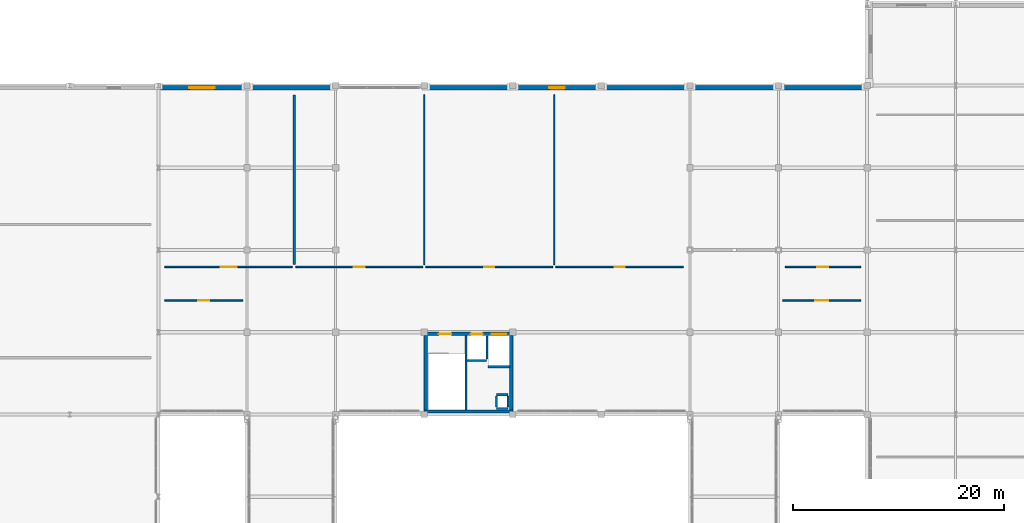
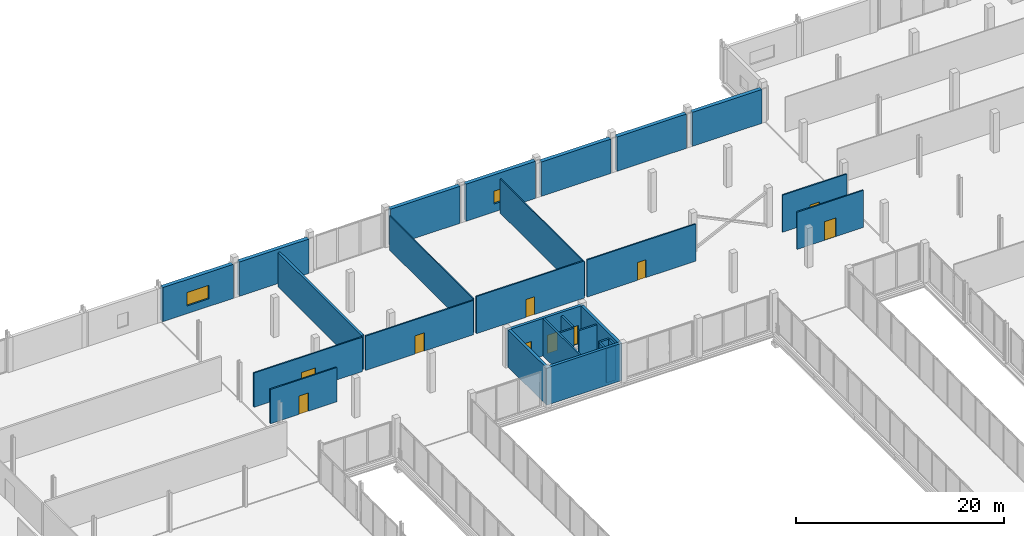
# One storey, part 71 of 98: 29 walls, 10 doors, 2 windows, 12 openings.
"""IFC4 building model written with IfcOpenShell, lengths in metres."""

from ifc_helpers import new_model, si_unit, direction, frame, frame_2d, origin, place, context, subcontext, project, spatial, rectangle, extrude, material, layer, layer_set, type_object, element, fill, save


model = new_model("IFC4")

# Units and contexts
model_context = context("Model", 3, precision=1e-05, world=origin(), true_north=direction((0.0, 1.0)))
body_context = subcontext(model_context, "Body", "Model", "MODEL_VIEW")
ifc_project = project(units=[si_unit("LENGTHUNIT", "METRE"), si_unit("AREAUNIT", "SQUARE_METRE"), si_unit("VOLUMEUNIT", "CUBIC_METRE"), si_unit("PLANEANGLEUNIT", "RADIAN"), si_unit("MASSUNIT", "GRAM", prefix="KILO")], contexts=[model_context])

# Site, building, storey
site_placement = place(None, origin())
site = spatial("IfcSite", under=ifc_project, at=site_placement, CompositionType="ELEMENT")
building_placement = place(site_placement, origin())
building = spatial("IfcBuilding", under=site, at=building_placement, Name="Nabrawat Pavilion Hospital", CompositionType="ELEMENT")
storey_placement = place(building_placement, frame((0.0, 0.0, 10.199951171875)))
storey = spatial("IfcBuildingStorey", under=building, at=storey_placement, Name="L02", CompositionType="ELEMENT", Elevation=10.199951171875)

# Wall, opening, door
ifc_material_1 = material(Name="Gypsum Fireboard on Steel Stud", Category="steel")
ifc_layer_1 = layer(ifc_material_1, 0.14990234375, Name="Gypsum Fireboard on Steel Stud")
ifc_layer_set_1 = layer_set([ifc_layer_1], Name="Gypsum Fireboard on Steel Stud")
wall_type_1 = type_object("IfcWallType", Name="Clinical Corridor Smoke-Barrier Wall 150", PredefinedType="PARTITIONING", material=ifc_layer_set_1)
wall_1_placement = place(storey_placement, frame((59.419921875, 96.610107421875, 0.0), z_axis=(0.0, 0.0, 1.0), x_axis=(1.0, 0.0, 0.0)))
wall_1 = element("IfcWall", 1, at=wall_1_placement, inside=storey, type_object=wall_type_1, Name="L02 Bronchoscopy and Pulmonary Function Lab L02-01 Front Partition", PredefinedType="PARTITIONING", context=body_context, shape_type="SweptSolid", body=[
    extrude(rectangle(XDim=7.380126953125, YDim=0.14990234375, at=frame_2d((3.68994140625, 0.0))), origin(), (0.0, 0.0, 1.0), 4.0400390625),
])
opening_1_placement = place(wall_1_placement, frame((3.1650390625, 0.0, 0.0)))
opening_1 = element("IfcOpeningElement", 2, at=opening_1_placement, cuts=wall_1, Name="Opening D-OPC-R", PredefinedType="OPENING", context=body_context, shape_type="SweptSolid", body=[
    extrude(rectangle(XDim=1.050048828125, YDim=2.14990234375, at=frame_2d((0.52490234375, 1.074951171875))), frame((0.0, 0.0849609375, 0.0), z_axis=(0.0, -1.0, 0.0), x_axis=(1.0, 0.0, 0.0)), (0.0, 0.0, 1.0), 0.169921875),
])
ifc_material_2 = material(Name="Stainless-Clad Acoustic Timber and Vision Glass", Category="wood")
door_type_1 = type_object("IfcDoorType", Name="Outpatient Clinic Consultation Door R 1050x2150", OperationType="NOTDEFINED", PredefinedType="DOOR", material=ifc_material_2)
door_1_placement = place(opening_1_placement, origin())
door_1 = element("IfcDoor", 3, at=door_1_placement, inside=storey, type_object=door_type_1, Name="Bronchoscopy and Pulmonary Function Lab L02-01 Door", OperationType="SINGLE_SWING_LEFT", OverallHeight=2.14990234375, OverallWidth=1.050048828125, PredefinedType="DOOR", context=body_context, shape_type="SweptSolid", body=[
    extrude(rectangle(XDim=1.050048828125, YDim=2.14990234375, at=frame_2d((0.52490234375, 1.074951171875))), frame((0.0, 0.02490234375, 0.0), z_axis=(0.0, -1.0, 0.0), x_axis=(1.0, 0.0, 0.0)), (0.0, 0.0, 1.0), 0.050048828125),
])
fill(opening_1, door_1)

wall_2_placement = place(storey_placement, frame((118.0, 96.610107421875, 0.0), z_axis=(0.0, 0.0, 1.0), x_axis=(1.0, 0.0, 0.0)))
wall_2 = element("IfcWall", 4, at=wall_2_placement, inside=storey, type_object=wall_type_1, Name="L02 Clinical Neurophysiology and Sleep Lab L02-02 Front Partition", PredefinedType="PARTITIONING", context=body_context, shape_type="SweptSolid", body=[
    extrude(rectangle(XDim=7.3798828125, YDim=0.14990234375, at=frame_2d((3.68994140625, 0.0))), origin(), (0.0, 0.0, 1.0), 4.3701171875),
])
opening_2_placement = place(wall_2_placement, frame((3.06494140625, 0.0, 0.0)))
opening_2 = element("IfcOpeningElement", 5, at=opening_2_placement, cuts=wall_2, Name="Opening D-LAB", PredefinedType="OPENING", context=body_context, shape_type="SweptSolid", body=[
    extrude(rectangle(XDim=1.25, YDim=2.199951171875, at=frame_2d((0.625, 1.10009765625))), frame((0.0, 0.0849609375, 0.0), z_axis=(0.0, -1.0, 0.0), x_axis=(1.0, 0.0, 0.0)), (0.0, 0.0, 1.0), 0.169921875),
])
door_type_2 = type_object("IfcDoorType", Name="Laboratory Containment Vision-Panel Door 1250x2200", OperationType="NOTDEFINED", PredefinedType="DOOR", material=ifc_material_2)
door_2_placement = place(opening_2_placement, origin())
door_2 = element("IfcDoor", 6, at=door_2_placement, inside=storey, type_object=door_type_2, Name="Clinical Neurophysiology and Sleep Lab L02-02 Door", OperationType="SINGLE_SWING_RIGHT", OverallHeight=2.199951171875, OverallWidth=1.25, PredefinedType="DOOR", context=body_context, shape_type="SweptSolid", body=[
    extrude(rectangle(XDim=1.25, YDim=2.199951171875, at=frame_2d((0.625, 1.10009765625))), frame((0.0, 0.02490234375, 0.0), z_axis=(0.0, -1.0, 0.0), x_axis=(1.0, 0.0, 0.0)), (0.0, 0.0, 1.0), 0.050048828125),
])
fill(opening_2, door_2)

wall_3_placement = place(storey_placement, frame((59.419921875, 99.7900390625, 0.0), z_axis=(0.0, 0.0, 1.0), x_axis=(1.0, 0.0, 0.0)))
wall_3 = element("IfcWall", 7, at=wall_3_placement, inside=storey, type_object=wall_type_1, Name="L02 Radiation Oncology Simulation Planning Room L02-03 Front Partition", PredefinedType="PARTITIONING", context=body_context, shape_type="SweptSolid", body=[
    extrude(rectangle(XDim=12.090087890625, YDim=0.14990234375, at=frame_2d((6.044921875, 0.0))), origin(), (0.0, 0.0, 1.0), 4.0400390625),
])
opening_3_placement = place(wall_3_placement, frame((5.27001953125, 0.0, 0.0)))
opening_3 = element("IfcOpeningElement", 8, at=opening_3_placement, cuts=wall_3, Name="Opening D-IMG", PredefinedType="OPENING", context=body_context, shape_type="SweptSolid", body=[
    extrude(rectangle(XDim=1.550048828125, YDim=2.25, at=frame_2d((0.77490234375, 1.125))), frame((0.0, 0.0849609375, 0.0), z_axis=(0.0, -1.0, 0.0), x_axis=(1.0, 0.0, 0.0)), (0.0, 0.0, 1.0), 0.169921875),
])
door_type_3 = type_object("IfcDoorType", Name="Lead-Lined Radiology Shielded Door 1550x2250", OperationType="NOTDEFINED", PredefinedType="DOOR", material=ifc_material_2)
door_3_placement = place(opening_3_placement, origin())
door_3 = element("IfcDoor", 9, at=door_3_placement, inside=storey, type_object=door_type_3, Name="Radiation Oncology Simulation Planning Room L02-03 Door", OperationType="SINGLE_SWING_LEFT", OverallHeight=2.25, OverallWidth=1.550048828125, PredefinedType="DOOR", context=body_context, shape_type="SweptSolid", body=[
    extrude(rectangle(XDim=1.550048828125, YDim=2.25, at=frame_2d((0.77490234375, 1.125))), frame((0.0, 0.02490234375, 0.0), z_axis=(0.0, -1.0, 0.0), x_axis=(1.0, 0.0, 0.0)), (0.0, 0.0, 1.0), 0.050048828125),
])
fill(opening_3, door_3)

wall_4_placement = place(storey_placement, frame((71.830078125, 99.7900390625, 0.0), z_axis=(0.0, 0.0, 1.0), x_axis=(1.0, 0.0, 0.0)))
wall_4 = element("IfcWall", 10, at=wall_4_placement, inside=storey, type_object=wall_type_1, Name="L02 Clinical Genetics Counselling Room L02-04 Front Partition", PredefinedType="PARTITIONING", context=body_context, shape_type="SweptSolid", body=[
    extrude(rectangle(XDim=12.010009765625, YDim=0.14990234375, at=frame_2d((6.0048828125, 0.0))), origin(), (0.0, 0.0, 1.0), 4.0400390625),
])
opening_4_placement = place(wall_4_placement, frame((5.47998046875, 0.0, 0.0)))
opening_4 = element("IfcOpeningElement", 11, at=opening_4_placement, cuts=wall_4, Name="Opening D-OPC-L", PredefinedType="OPENING", context=body_context, shape_type="SweptSolid", body=[
    extrude(rectangle(XDim=1.050048828125, YDim=2.14990234375, at=frame_2d((0.52490234375, 1.074951171875))), frame((0.0, 0.0849609375, 0.0), z_axis=(0.0, -1.0, 0.0), x_axis=(1.0, 0.0, 0.0)), (0.0, 0.0, 1.0), 0.169921875),
])
door_type_4 = type_object("IfcDoorType", Name="Outpatient Clinic Consultation Door L 1050x2150", OperationType="NOTDEFINED", PredefinedType="DOOR", material=ifc_material_2)
door_4_placement = place(opening_4_placement, origin())
door_4 = element("IfcDoor", 12, at=door_4_placement, inside=storey, type_object=door_type_4, Name="Clinical Genetics Counselling Room L02-04 Door", OperationType="SINGLE_SWING_RIGHT", OverallHeight=2.14990234375, OverallWidth=1.050048828125, PredefinedType="DOOR", context=body_context, shape_type="SweptSolid", body=[
    extrude(rectangle(XDim=1.050048828125, YDim=2.14990234375, at=frame_2d((0.52490234375, 1.074951171875))), frame((0.0, 0.02490234375, 0.0), z_axis=(0.0, -1.0, 0.0), x_axis=(1.0, 0.0, 0.0)), (0.0, 0.0, 1.0), 0.050048828125),
])
fill(opening_4, door_4)

wall_5_placement = place(storey_placement, frame((84.159912109375, 99.7900390625, 0.0), z_axis=(0.0, 0.0, 1.0), x_axis=(1.0, 0.0, 0.0)))
wall_5 = element("IfcWall", 13, at=wall_5_placement, inside=storey, type_object=wall_type_1, Name="L02 Medical Directorate Governance Office L02-05 Front Partition", PredefinedType="PARTITIONING", context=body_context, shape_type="SweptSolid", body=[
    extrude(rectangle(XDim=12.010009765625, YDim=0.14990234375, at=frame_2d((6.0048828125, 0.0))), origin(), (0.0, 0.0, 1.0), 4.3701171875),
])
opening_5_placement = place(wall_5_placement, frame((5.530029296875, 0.0, 0.0)))
opening_5 = element("IfcOpeningElement", 14, at=opening_5_placement, cuts=wall_5, Name="Opening D-ADM", PredefinedType="OPENING", context=body_context, shape_type="SweptSolid", body=[
    extrude(rectangle(XDim=0.949951171875, YDim=2.10009765625, at=frame_2d((0.47509765625, 1.050048828125))), frame((0.0, 0.0849609375, 0.0), z_axis=(0.0, -1.0, 0.0), x_axis=(1.0, 0.0, 0.0)), (0.0, 0.0, 1.0), 0.169921875),
])
door_type_5 = type_object("IfcDoorType", Name="Clinical Office Acoustic Door 950x2100", OperationType="NOTDEFINED", PredefinedType="DOOR", material=ifc_material_2)
door_5_placement = place(opening_5_placement, origin())
door_5 = element("IfcDoor", 15, at=door_5_placement, inside=storey, type_object=door_type_5, Name="Medical Directorate Governance Office L02-05 Door", OperationType="SINGLE_SWING_LEFT", OverallHeight=2.10009765625, OverallWidth=0.949951171875, PredefinedType="DOOR", context=body_context, shape_type="SweptSolid", body=[
    extrude(rectangle(XDim=0.949951171875, YDim=2.10009765625, at=frame_2d((0.47509765625, 1.050048828125))), frame((0.0, 0.02490234375, 0.0), z_axis=(0.0, -1.0, 0.0), x_axis=(1.0, 0.0, 0.0)), (0.0, 0.0, 1.0), 0.050048828125),
])
fill(opening_5, door_5)

wall_6_placement = place(storey_placement, frame((96.489990234375, 99.7900390625, 0.0), z_axis=(0.0, 0.0, 1.0), x_axis=(1.0, 0.0, 0.0)))
wall_6 = element("IfcWall", 16, at=wall_6_placement, inside=storey, type_object=wall_type_1, Name="L02 Surgical Simulation Skills Room L02-06 Front Partition", PredefinedType="PARTITIONING", context=body_context, shape_type="SweptSolid", body=[
    extrude(rectangle(XDim=12.090087890625, YDim=0.14990234375, at=frame_2d((6.044921875, 0.0))), origin(), (0.0, 0.0, 1.0), 4.3701171875),
])
opening_6_placement = place(wall_6_placement, frame((5.570068359375, 0.0, 0.0)))
opening_6 = element("IfcOpeningElement", 17, at=opening_6_placement, cuts=wall_6, Name="Opening D-ADM", PredefinedType="OPENING", context=body_context, shape_type="SweptSolid", body=[
    extrude(rectangle(XDim=0.949951171875, YDim=2.10009765625, at=frame_2d((0.47509765625, 1.050048828125))), frame((0.0, 0.0849609375, 0.0), z_axis=(0.0, -1.0, 0.0), x_axis=(1.0, 0.0, 0.0)), (0.0, 0.0, 1.0), 0.169921875),
])
door_6_placement = place(opening_6_placement, origin())
door_6 = element("IfcDoor", 18, at=door_6_placement, inside=storey, type_object=door_type_5, Name="Surgical Simulation Skills Room L02-06 Door", OperationType="SINGLE_SWING_RIGHT", OverallHeight=2.10009765625, OverallWidth=0.949951171875, PredefinedType="DOOR", context=body_context, shape_type="SweptSolid", body=[
    extrude(rectangle(XDim=0.949951171875, YDim=2.10009765625, at=frame_2d((0.47509765625, 1.050048828125))), frame((0.0, 0.02490234375, 0.0), z_axis=(0.0, -1.0, 0.0), x_axis=(1.0, 0.0, 0.0)), (0.0, 0.0, 1.0), 0.050048828125),
])
fill(opening_6, door_6)

wall_7_placement = place(storey_placement, frame((118.219970703125, 99.7900390625, 0.0), z_axis=(0.0, 0.0, 1.0), x_axis=(1.0, 0.0, 0.0)))
wall_7 = element("IfcWall", 19, at=wall_7_placement, inside=storey, type_object=wall_type_1, Name="L02 Bronchoscopy and Pulmonary Function Lab L02-07 Front Partition", PredefinedType="PARTITIONING", context=body_context, shape_type="SweptSolid", body=[
    extrude(rectangle(XDim=7.159912109375, YDim=0.14990234375, at=frame_2d((3.580078125, 0.0))), origin(), (0.0, 0.0, 1.0), 4.3701171875),
])
opening_7_placement = place(wall_7_placement, frame((3.054931640625, 0.0, 0.0)))
opening_7 = element("IfcOpeningElement", 20, at=opening_7_placement, cuts=wall_7, Name="Opening D-OPC-R", PredefinedType="OPENING", context=body_context, shape_type="SweptSolid", body=[
    extrude(rectangle(XDim=1.050048828125, YDim=2.14990234375, at=frame_2d((0.52490234375, 1.074951171875))), frame((0.0, 0.0849609375, 0.0), z_axis=(0.0, -1.0, 0.0), x_axis=(1.0, 0.0, 0.0)), (0.0, 0.0, 1.0), 0.169921875),
])
door_7_placement = place(opening_7_placement, origin())
door_7 = element("IfcDoor", 21, at=door_7_placement, inside=storey, type_object=door_type_1, Name="Bronchoscopy and Pulmonary Function Lab L02-07 Door", OperationType="SINGLE_SWING_LEFT", OverallHeight=2.14990234375, OverallWidth=1.050048828125, PredefinedType="DOOR", context=body_context, shape_type="SweptSolid", body=[
    extrude(rectangle(XDim=1.050048828125, YDim=2.14990234375, at=frame_2d((0.52490234375, 1.074951171875))), frame((0.0, 0.02490234375, 0.0), z_axis=(0.0, -1.0, 0.0), x_axis=(1.0, 0.0, 0.0)), (0.0, 0.0, 1.0), 0.050048828125),
])
fill(opening_7, door_7)

# Wall, opening, window
ifc_material_3 = material(Name="Precast concrete C40/50", Category="concrete")
ifc_layer_2 = layer(ifc_material_3, 0.419921875, Name="Precast concrete C40/50")
ifc_layer_set_2 = layer_set([ifc_layer_2], Name="Precast concrete C40/50")
wall_type_2 = type_object("IfcWallType", Name="Diagnostic Shielded Precast Facade Wall 420", PredefinedType="SOLIDWALL", material=ifc_layer_set_2)
wall_8_placement = place(storey_placement, frame((59.0, 116.780029296875, 0.0), z_axis=(0.0, 0.0, 1.0), x_axis=(1.0, 0.0, 0.0)))
wall_8 = element("IfcWall", 22, at=wall_8_placement, inside=storey, type_object=wall_type_2, Name="L02 Diagnostic Shielded Precast Facade Wall 420 262", PredefinedType="SOLIDWALL", context=body_context, shape_type="SweptSolid", body=[
    extrude(rectangle(XDim=7.85009765625, YDim=0.419921875, at=frame_2d((3.925048828125, 0.0))), origin(), (0.0, 0.0, 1.0), 4.010009765625),
])
opening_8_placement = place(wall_8_placement, frame((2.72509765625, 0.0, 0.89990234375)))
opening_8 = element("IfcOpeningElement", 23, at=opening_8_placement, cuts=wall_8, Name="Opening WN-03", PredefinedType="OPENING", context=body_context, shape_type="SweptSolid", body=[
    extrude(rectangle(XDim=2.39990234375, YDim=1.60009765625, at=frame_2d((1.199951171875, 0.800048828125))), frame((0.0, 0.219970703125, 0.0), z_axis=(0.0, -1.0, 0.0), x_axis=(1.0, 0.0, 0.0)), (0.0, 0.0, 1.0), 0.43994140625),
])
ifc_material_4 = material(Name="Thermally Broken Aluminium and Solar Glass", Category="aluminium")
window_type_1 = type_object("IfcWindowType", Name="Deep-Reveal Ward Bay Window 2400x1600", PartitioningType="SINGLE_PANEL", PredefinedType="WINDOW", material=ifc_material_4)
window_1_placement = place(opening_8_placement, origin())
window_1 = element("IfcWindow", 24, at=window_1_placement, inside=storey, type_object=window_type_1, Name="L02 Deep-Reveal Ward Bay Window 2400x1600 099", OverallHeight=1.60009765625, OverallWidth=2.39990234375, PartitioningType="SINGLE_PANEL", PredefinedType="WINDOW", context=body_context, shape_type="SweptSolid", body=[
    extrude(rectangle(XDim=2.39990234375, YDim=1.60009765625, at=frame_2d((1.199951171875, 0.800048828125))), frame((0.0, 0.030029296875, 0.0), z_axis=(0.0, -1.0, 0.0), x_axis=(1.0, 0.0, 0.0)), (0.0, 0.0, 1.0), 0.06005859375),
])
fill(opening_8, window_1)

# Walls
wall_9_placement = place(storey_placement, frame((67.550048828125, 116.780029296875, 0.0), z_axis=(0.0, 0.0, 1.0), x_axis=(1.0, 0.0, 0.0)))
element("IfcWall", 25, at=wall_9_placement, inside=storey, type_object=wall_type_2, Name="L02 Diagnostic Shielded Precast Facade Wall 420 263", PredefinedType="SOLIDWALL", context=body_context, shape_type="SweptSolid", body=[
    extrude(rectangle(XDim=7.699951171875, YDim=0.419921875, at=frame_2d((3.85009765625, 0.0))), origin(), (0.0, 0.0, 1.0), 4.0400390625),
])
wall_10_placement = place(storey_placement, frame((84.35009765625, 116.780029296875, 0.0), z_axis=(0.0, 0.0, 1.0), x_axis=(1.0, 0.0, 0.0)))
element("IfcWall", 26, at=wall_10_placement, inside=storey, type_object=wall_type_2, Name="L02 Diagnostic Shielded Precast Facade Wall 420 264", PredefinedType="SOLIDWALL", context=body_context, shape_type="SweptSolid", body=[
    extrude(rectangle(XDim=7.699951171875, YDim=0.419921875, at=frame_2d((3.85009765625, 0.0))), origin(), (0.0, 0.0, 1.0), 4.3701171875),
])

# Wall, opening, window
wall_11_placement = place(storey_placement, frame((92.75, 116.780029296875, 0.0), z_axis=(0.0, 0.0, 1.0), x_axis=(1.0, 0.0, 0.0)))
wall_11 = element("IfcWall", 27, at=wall_11_placement, inside=storey, type_object=wall_type_2, Name="L02 Diagnostic Shielded Precast Facade Wall 420 265", PredefinedType="SOLIDWALL", context=body_context, shape_type="SweptSolid", body=[
    extrude(rectangle(XDim=7.699951171875, YDim=0.419921875, at=frame_2d((3.85009765625, 0.0))), origin(), (0.0, 0.0, 1.0), 4.3701171875),
])
opening_9_placement = place(wall_11_placement, frame((3.10009765625, 0.0, 0.949951171875)))
opening_9 = element("IfcOpeningElement", 28, at=opening_9_placement, cuts=wall_11, Name="Opening WN-04", PredefinedType="OPENING", context=body_context, shape_type="SweptSolid", body=[
    extrude(rectangle(XDim=1.5, YDim=1.5, at=frame_2d((0.75, 0.75))), frame((0.0, 0.219970703125, 0.0), z_axis=(0.0, -1.0, 0.0), x_axis=(1.0, 0.0, 0.0)), (0.0, 0.0, 1.0), 0.43994140625),
])
window_type_2 = type_object("IfcWindowType", Name="Outpatient Consultation Window 1500x1500", PartitioningType="SINGLE_PANEL", PredefinedType="WINDOW", material=ifc_material_4)
window_2_placement = place(opening_9_placement, origin())
window_2 = element("IfcWindow", 29, at=window_2_placement, inside=storey, type_object=window_type_2, Name="L02 Outpatient Consultation Window 1500x1500 100", OverallHeight=1.5, OverallWidth=1.5, PartitioningType="SINGLE_PANEL", PredefinedType="WINDOW", context=body_context, shape_type="SweptSolid", body=[
    extrude(rectangle(XDim=1.5, YDim=1.5, at=frame_2d((0.75, 0.75))), frame((0.0, 0.030029296875, 0.0), z_axis=(0.0, -1.0, 0.0), x_axis=(1.0, 0.0, 0.0)), (0.0, 0.0, 1.0), 0.06005859375),
])
fill(opening_9, window_2)

# Walls
wall_12_placement = place(storey_placement, frame((101.14990234375, 116.780029296875, 0.0), z_axis=(0.0, 0.0, 1.0), x_axis=(1.0, 0.0, 0.0)))
element("IfcWall", 30, at=wall_12_placement, inside=storey, type_object=wall_type_2, Name="L02 Diagnostic Shielded Precast Facade Wall 420 266", PredefinedType="SOLIDWALL", context=body_context, shape_type="SweptSolid", body=[
    extrude(rectangle(XDim=7.7001953125, YDim=0.419921875, at=frame_2d((3.85009765625, 0.0))), origin(), (0.0, 0.0, 1.0), 4.0400390625),
])
wall_13_placement = place(storey_placement, frame((109.550048828125, 116.780029296875, 0.0), z_axis=(0.0, 0.0, 1.0), x_axis=(1.0, 0.0, 0.0)))
element("IfcWall", 31, at=wall_13_placement, inside=storey, type_object=wall_type_2, Name="L02 Diagnostic Shielded Precast Facade Wall 420 267", PredefinedType="SOLIDWALL", context=body_context, shape_type="SweptSolid", body=[
    extrude(rectangle(XDim=7.699951171875, YDim=0.419921875, at=frame_2d((3.85009765625, 0.0))), origin(), (0.0, 0.0, 1.0), 4.0400390625),
])
wall_14_placement = place(storey_placement, frame((117.949951171875, 116.780029296875, 0.0), z_axis=(0.0, 0.0, 1.0), x_axis=(1.0, 0.0, 0.0)))
element("IfcWall", 32, at=wall_14_placement, inside=storey, type_object=wall_type_2, Name="L02 Diagnostic Shielded Precast Facade Wall 420 268", PredefinedType="SOLIDWALL", context=body_context, shape_type="SweptSolid", body=[
    extrude(rectangle(XDim=7.699951171875, YDim=0.419921875, at=frame_2d((3.85009765625, 0.0))), origin(), (0.0, 0.0, 1.0), 3.989990234375),
])
ifc_material_5 = material(Name="Barium Concrete Block", Category="concrete")
ifc_layer_3 = layer(ifc_material_5, 0.260009765625, Name="Barium Concrete Block")
ifc_layer_set_3 = layer_set([ifc_layer_3], Name="Barium Concrete Block")
wall_type_3 = type_object("IfcWallType", Name="Diagnostic X-Ray Barium-Plaster Wall 260", PredefinedType="PARTITIONING", material=ifc_layer_set_3)
wall_15_placement = place(storey_placement, frame((71.669921875, 100.010009765625, 0.0), z_axis=(0.0, 0.0, 1.0), x_axis=(0.0, 1.0, 0.0)))
element("IfcWall", 33, at=wall_15_placement, inside=storey, type_object=wall_type_3, Name="L02 Radiation Oncology Simulation Planning Room L02-03 Dividing Partition", PredefinedType="PARTITIONING", context=body_context, shape_type="SweptSolid", body=[
    extrude(rectangle(XDim=16.10009765625, YDim=0.260009765625, at=frame_2d((8.050048828125, 0.0))), origin(), (0.0, 0.0, 1.0), 4.0400390625),
])
ifc_material_6 = material(Name="Concrete C35/45", Category="concrete")
ifc_layer_4 = layer(ifc_material_6, 0.199951171875, Name="Concrete C35/45")
ifc_layer_set_4 = layer_set([ifc_layer_4], Name="Concrete C35/45")
wall_type_4 = type_object("IfcWallType", Name="Lift and Riser Fire Shaft Wall 200", PredefinedType="PARTITIONING", material=ifc_layer_set_4)
wall_16_placement = place(storey_placement, frame((87.949951171875, 86.239990234375, 0.0), z_axis=(0.0, 0.0, 1.0), x_axis=(0.0, 1.0, 0.0)))
element("IfcWall", 34, at=wall_16_placement, inside=storey, type_object=wall_type_4, Name="L02 CORE-3 Stair-Lift Dividing Shear Wall", PredefinedType="SHEAR", context=body_context, shape_type="SweptSolid", body=[
    extrude(rectangle(XDim=7.0400390625, YDim=0.199951171875, at=frame_2d((3.52001953125, 0.0))), origin(), (0.0, 0.0, 1.0), 4.400146484375),
])
for number, where, z_axis, x_axis, name in (
    (35, (90.85009765625, 86.3701171875, 0.0), (0.0, 0.0, 1.0), (1.0, 0.0, 0.0), "L02 CORE-3 MEP Riser Shaft Wall S"),
    (36, (90.85009765625, 87.669921875, 0.0), (0.0, 0.0, 1.0), (1.0, 0.0, 0.0), "L02 CORE-3 MEP Riser Shaft Wall N"),
):
    element("IfcWall", number, at=place(storey_placement, frame(where, z_axis=z_axis, x_axis=x_axis)), inside=storey, type_object=wall_type_4, Name=name, PredefinedType="PARTITIONING", context=body_context, shape_type="SweptSolid", body=[
        extrude(rectangle(XDim=1.099853515625, YDim=0.199951171875, at=frame_2d((0.5498046875, 0.0))), origin(), (0.0, 0.0, 1.0), 4.0400390625),
    ])
for number, where, z_axis, x_axis, name in (
    (37, (90.85009765625, 86.489990234375, 0.0), (0.0, 0.0, 1.0), (0.0, 1.0, 0.0), "L02 CORE-3 MEP Riser Shaft Wall W"),
    (38, (91.949951171875, 86.489990234375, 0.0), (0.0, 0.0, 1.0), (0.0, 1.0, 0.0), "L02 CORE-3 MEP Riser Shaft Wall E"),
):
    element("IfcWall", number, at=place(storey_placement, frame(where, z_axis=z_axis, x_axis=x_axis)), inside=storey, type_object=wall_type_4, Name=name, PredefinedType="PARTITIONING", context=body_context, shape_type="SweptSolid", body=[
        extrude(rectangle(XDim=1.06005859375, YDim=0.199951171875, at=frame_2d((0.530029296875, 0.0))), origin(), (0.0, 0.0, 1.0), 4.0400390625),
    ])
wall_17_placement = place(storey_placement, frame((89.93994140625, 91.080078125, 0.0), z_axis=(0.0, 0.0, 1.0), x_axis=(0.0, 1.0, 0.0)))
element("IfcWall", 39, at=wall_17_placement, inside=storey, type_object=wall_type_4, Name="L02 Lift LP-02 Shaft East Wall", PredefinedType="PARTITIONING", context=body_context, shape_type="SweptSolid", body=[
    extrude(rectangle(XDim=2.139892578125, YDim=0.199951171875, at=frame_2d((1.06982421875, 0.0))), origin(), (0.0, 0.0, 1.0), 4.0400390625),
])
wall_18_placement = place(storey_placement, frame((88.050048828125, 90.919921875, 0.0), z_axis=(0.0, 0.0, 1.0), x_axis=(1.0, 0.0, 0.0)))
element("IfcWall", 40, at=wall_18_placement, inside=storey, type_object=wall_type_4, Name="L02 Lift LP-02 Shaft Back Wall", PredefinedType="PARTITIONING", context=body_context, shape_type="SweptSolid", body=[
    extrude(rectangle(XDim=1.85986328125, YDim=0.199951171875, at=frame_2d((0.929931640625, 0.0))), origin(), (0.0, 0.0, 1.0), 4.0400390625),
])
wall_19_placement = place(storey_placement, frame((90.070068359375, 90.320068359375, 0.0), z_axis=(0.0, 0.0, 1.0), x_axis=(1.0, 0.0, 0.0)))
element("IfcWall", 41, at=wall_19_placement, inside=storey, type_object=wall_type_4, Name="L02 Lift LB-02 Shaft Back Wall", PredefinedType="PARTITIONING", context=body_context, shape_type="SweptSolid", body=[
    extrude(rectangle(XDim=2.059814453125, YDim=0.199951171875, at=frame_2d((1.02978515625, 0.0))), origin(), (0.0, 0.0, 1.0), 4.0400390625),
])
ifc_material_7 = material(Name="Gypsum Plasterboard on Stud", Category="gypsum")
ifc_layer_5 = layer(ifc_material_7, 0.1201171875, Name="Gypsum Plasterboard on Stud")
ifc_layer_set_5 = layer_set([ifc_layer_5], Name="Gypsum Plasterboard on Stud")
wall_type_5 = type_object("IfcWallType", Name="Outpatient Consultation Partition 120", PredefinedType="PARTITIONING", material=ifc_layer_set_5)
for number, where, z_axis, x_axis, name in (
    (42, (84.0, 100.010009765625, 0.0), (0.0, 0.0, 1.0), (0.0, 1.0, 0.0), "L02 Clinical Genetics Counselling Room L02-04 Dividing Partition"),
    (43, (96.330078125, 100.010009765625, 0.0), (0.0, 0.0, 1.0), (0.0, 1.0, 0.0), "L02 Medical Directorate Governance Office L02-05 Dividing Partition"),
):
    element("IfcWall", number, at=place(storey_placement, frame(where, z_axis=z_axis, x_axis=x_axis)), inside=storey, type_object=wall_type_5, Name=name, PredefinedType="PARTITIONING", context=body_context, shape_type="SweptSolid", body=[
        extrude(rectangle(XDim=16.10009765625, YDim=0.1201171875, at=frame_2d((8.050048828125, 0.0))), origin(), (0.0, 0.0, 1.0), 4.0400390625),
    ])
ifc_material_8 = material(Name="Concrete C40/50", Category="concrete")
ifc_layer_6 = layer(ifc_material_8, 0.300048828125, Name="Concrete C40/50")
ifc_layer_set_6 = layer_set([ifc_layer_6], Name="Concrete C40/50")
wall_type_6 = type_object("IfcWallType", Name="Reinforced Concrete Core Shear Wall 300", PredefinedType="SHEAR", material=ifc_layer_set_6)
wall_20_placement = place(storey_placement, frame((84.0, 86.070068359375, 0.0), z_axis=(0.0, 0.0, 1.0), x_axis=(1.0, 0.0, 0.0)))
element("IfcWall", 44, at=wall_20_placement, inside=storey, type_object=wall_type_6, Name="L02 CORE-3 South Core Shear Wall", PredefinedType="SHEAR", context=body_context, shape_type="SweptSolid", body=[
    extrude(rectangle(XDim=8.39990234375, YDim=0.300048828125, at=frame_2d((4.199951171875, 0.0))), origin(), (0.0, 0.0, 1.0), 4.400146484375),
])

# Wall, openings, doors
wall_21_placement = place(storey_placement, frame((84.0, 93.449951171875, 0.0), z_axis=(0.0, 0.0, 1.0), x_axis=(1.0, 0.0, 0.0)))
wall_21 = element("IfcWall", 45, at=wall_21_placement, inside=storey, type_object=wall_type_6, Name="L02 CORE-3 North Core Shear Wall", PredefinedType="SHEAR", context=body_context, shape_type="SweptSolid", body=[
    extrude(rectangle(XDim=8.39990234375, YDim=0.300048828125, at=frame_2d((4.199951171875, 0.0))), origin(), (0.0, 0.0, 1.0), 4.400146484375),
])
opening_10_placement = place(wall_21_placement, frame((1.3798828125, 0.0, 0.0)))
opening_10 = element("IfcOpeningElement", 46, at=opening_10_placement, cuts=wall_21, Name="Opening D-STAIR", PredefinedType="OPENING", context=body_context, shape_type="SweptSolid", body=[
    extrude(rectangle(XDim=1.199951171875, YDim=2.14990234375, at=frame_2d((0.60009765625, 1.074951171875))), frame((0.0, 0.16015625, 0.0), z_axis=(0.0, -1.0, 0.0), x_axis=(1.0, 0.0, 0.0)), (0.0, 0.0, 1.0), 0.320068359375),
])
opening_11_placement = place(wall_21_placement, frame((4.429931640625, 0.0, 0.0)))
opening_11 = element("IfcOpeningElement", 47, at=opening_11_placement, cuts=wall_21, Name="Opening LD-LP-02", PredefinedType="OPENING", context=body_context, shape_type="SweptSolid", body=[
    extrude(rectangle(XDim=1.10009765625, YDim=2.14990234375, at=frame_2d((0.550048828125, 1.074951171875))), frame((0.0, 0.16015625, 0.0), z_axis=(0.0, -1.0, 0.0), x_axis=(1.0, 0.0, 0.0)), (0.0, 0.0, 1.0), 0.320068359375),
])
opening_12_placement = place(wall_21_placement, frame((6.39990234375, 0.0, 0.0)))
opening_12 = element("IfcOpeningElement", 48, at=opening_12_placement, cuts=wall_21, Name="Opening LD-LB-02", PredefinedType="OPENING", context=body_context, shape_type="SweptSolid", body=[
    extrude(rectangle(XDim=1.39990234375, YDim=2.199951171875, at=frame_2d((0.699951171875, 1.10009765625))), frame((0.0, 0.16015625, 0.0), z_axis=(0.0, -1.0, 0.0), x_axis=(1.0, 0.0, 0.0)), (0.0, 0.0, 1.0), 0.320068359375),
])
door_type_6 = type_object("IfcDoorType", Name="D-STAIR Exit Stair Fire Door 1200x2150", OperationType="NOTDEFINED", PredefinedType="DOOR", material=ifc_material_2)
door_8_placement = place(opening_10_placement, origin())
door_8 = element("IfcDoor", 49, at=door_8_placement, inside=storey, type_object=door_type_6, Name="L02 ST-03 Fire Exit Stair Door", OperationType="SINGLE_SWING_RIGHT", OverallHeight=2.14990234375, OverallWidth=1.199951171875, PredefinedType="DOOR", context=body_context, shape_type="SweptSolid", body=[
    extrude(rectangle(XDim=1.199951171875, YDim=2.14990234375, at=frame_2d((0.60009765625, 1.074951171875))), frame((0.0, 0.02490234375, 0.0), z_axis=(0.0, -1.0, 0.0), x_axis=(1.0, 0.0, 0.0)), (0.0, 0.0, 1.0), 0.050048828125),
])
fill(opening_10, door_8)
door_type_7 = type_object("IfcDoorType", Name="Hospital Bed Lift Sliding Landing Door 1400x2200", OperationType="DOUBLE_DOOR_SLIDING", PredefinedType="DOOR", material=ifc_material_2)
door_9_placement = place(opening_12_placement, origin())
door_9 = element("IfcDoor", 50, at=door_9_placement, inside=storey, type_object=door_type_7, Name="L02 Lift LB-02 Sliding Landing Door", OperationType="DOUBLE_DOOR_SLIDING", OverallHeight=2.199951171875, OverallWidth=1.39990234375, PredefinedType="DOOR", context=body_context, shape_type="SweptSolid", body=[
    extrude(rectangle(XDim=1.39990234375, YDim=2.199951171875, at=frame_2d((0.699951171875, 1.10009765625))), frame((0.0, 0.02490234375, 0.0), z_axis=(0.0, -1.0, 0.0), x_axis=(1.0, 0.0, 0.0)), (0.0, 0.0, 1.0), 0.050048828125),
])
fill(opening_12, door_9)
door_type_8 = type_object("IfcDoorType", Name="Passenger Lift Sliding Landing Door 1100x2150", OperationType="DOUBLE_DOOR_SLIDING", PredefinedType="DOOR", material=ifc_material_2)
door_10_placement = place(opening_11_placement, origin())
door_10 = element("IfcDoor", 51, at=door_10_placement, inside=storey, type_object=door_type_8, Name="L02 Lift LP-02 Sliding Landing Door", OperationType="DOUBLE_DOOR_SLIDING", OverallHeight=2.14990234375, OverallWidth=1.10009765625, PredefinedType="DOOR", context=body_context, shape_type="SweptSolid", body=[
    extrude(rectangle(XDim=1.10009765625, YDim=2.14990234375, at=frame_2d((0.550048828125, 1.074951171875))), frame((0.0, 0.02490234375, 0.0), z_axis=(0.0, -1.0, 0.0), x_axis=(1.0, 0.0, 0.0)), (0.0, 0.0, 1.0), 0.050048828125),
])
fill(opening_11, door_10)

# Walls
for number, where, z_axis, x_axis, name in (
    (52, (84.14990234375, 86.219970703125, 0.0), (0.0, 0.0, 1.0), (0.0, 1.0, 0.0), "L02 CORE-3 West Core Shear Wall"),
    (53, (92.25, 86.219970703125, 0.0), (0.0, 0.0, 1.0), (0.0, 1.0, 0.0), "L02 CORE-3 East Core Shear Wall"),
):
    element("IfcWall", number, at=place(storey_placement, frame(where, z_axis=z_axis, x_axis=x_axis)), inside=storey, type_object=wall_type_6, Name=name, PredefinedType="SHEAR", context=body_context, shape_type="SweptSolid", body=[
        extrude(rectangle(XDim=7.080078125, YDim=0.300048828125, at=frame_2d((3.5400390625, 0.0))), origin(), (0.0, 0.0, 1.0), 4.400146484375),
    ])

save(model, "model.ifc")
